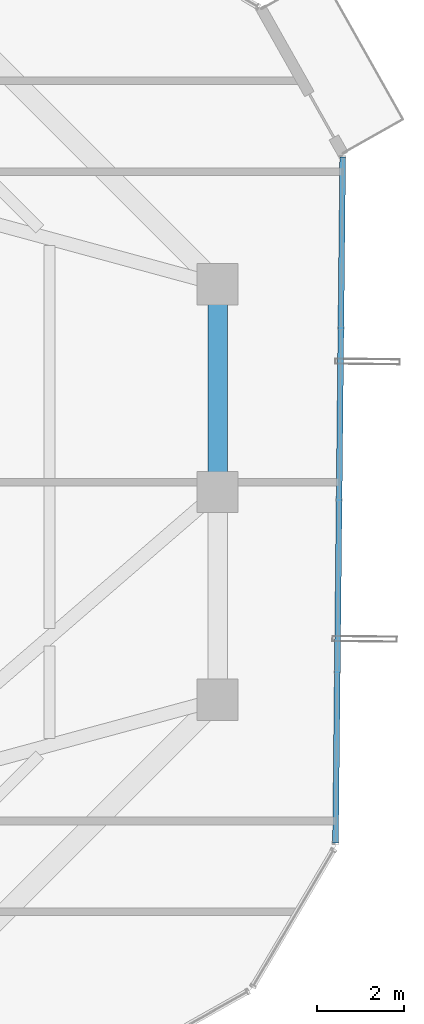
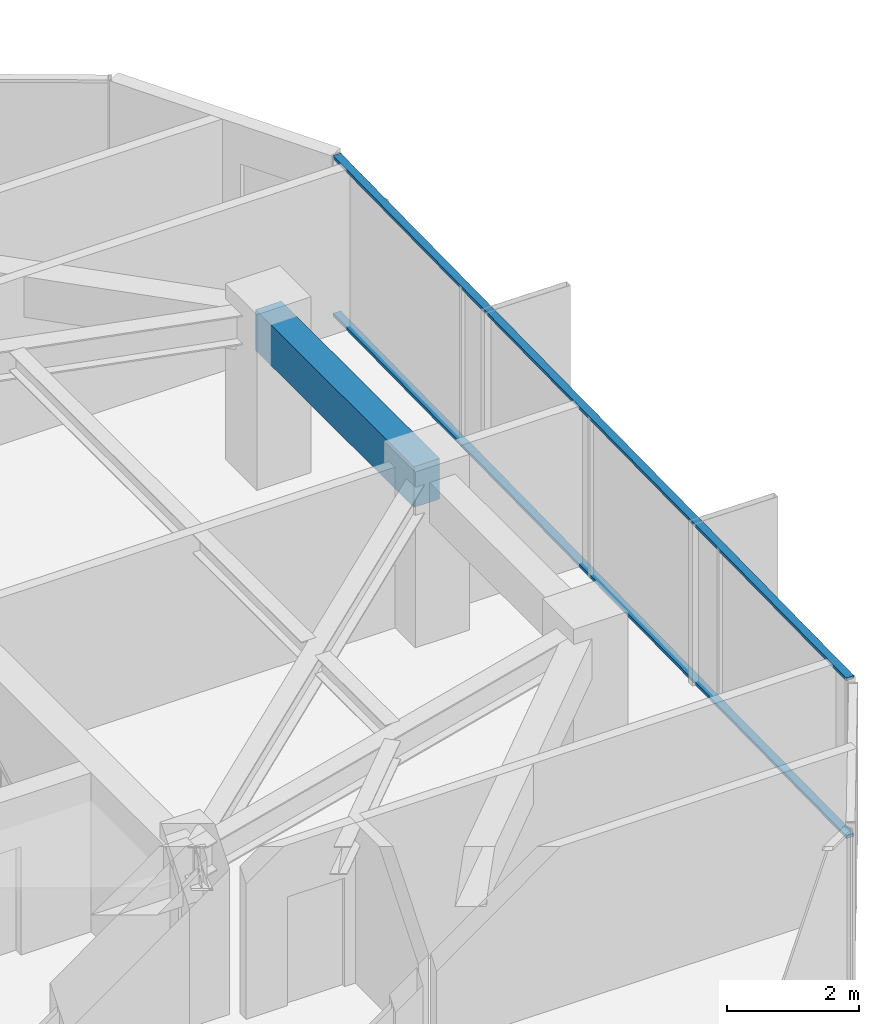
# One storey, part 17 of 30: 2 members, 1 beam, 1 element without a shape of its own.
"""IFC4 building model written with IfcOpenShell, lengths in metres."""

import ifcopenshell
import ifcopenshell.guid

model = None  # the IFC model being written
_history = None  # IfcOwnerHistory: only IFC2X3 demands one
_inside = {}  # id of a spatial element -> (the spatial element, [elements in it])
_under = {}  # id of a project, library or spatial element -> (it, [spatial elements below it])
_declared = {}  # id of a project -> (the project, [libraries it declares])
_typed = {}  # id of a type object -> (the type object, [elements of that type])
_made_of = {}  # id of a material, layer set ... -> (it, [elements and type objects made of it])


def new_model(schema):
    """Start an empty IFC model of exactly this schema.

    Asked for "IFC4X3", IfcOpenShell would pick the latest addendum, in which some entities
    have other attributes; the version numbers below select the first issue.
    IFC2X3 requires an IfcOwnerHistory on every rooted entity: one is made here for all.
    """
    global model, _history
    if schema == "IFC4X3":
        model = ifcopenshell.file(schema_version=(4, 3, 0, 0))
    else:
        model = ifcopenshell.file(schema=schema)
    _inside.clear()
    _under.clear()
    _declared.clear()
    _typed.clear()
    _made_of.clear()
    _history = None
    if model.schema == "IFC2X3":
        org = make("IfcOrganization", Name="unknown")
        user = make(
            "IfcPersonAndOrganization",
            ThePerson=make("IfcPerson", FamilyName="unknown"),
            TheOrganization=org,
        )
        app = make(
            "IfcApplication",
            ApplicationDeveloper=org,
            Version="unknown",
            ApplicationFullName="unknown",
            ApplicationIdentifier="unknown",
        )
        _history = make(
            "IfcOwnerHistory",
            OwningUser=user,
            OwningApplication=app,
            ChangeAction="ADDED",
            CreationDate=0,
        )
    return model


def make(cls, **values):
    """One entity of the class cls with the attributes given. An attribute that is None is left unset."""
    return model.create_entity(
        cls, **{name: value for name, value in values.items() if value is not None}
    )


def rooted(cls, **values):
    """An entity with a GlobalId (a new one), such as an element, a storey or a relation."""
    return make(cls, GlobalId=ifcopenshell.guid.new(), OwnerHistory=_history, **values)


def si_unit(unit_type, name, prefix=None):
    """IfcSIUnit, for example si_unit("LENGTHUNIT", "METRE", prefix="MILLI")."""
    return make("IfcSIUnit", UnitType=unit_type, Prefix=prefix, Name=name)


def assignment(units):
    """IfcUnitAssignment: the units of a project."""
    return None if units is None else make("IfcUnitAssignment", Units=units)


def point(xyz):
    """IfcCartesianPoint."""
    return None if xyz is None else make("IfcCartesianPoint", Coordinates=xyz)


def direction(xyz):
    """IfcDirection."""
    return None if xyz is None else make("IfcDirection", DirectionRatios=xyz)


def frame(location, z_axis=None, x_axis=None):
    """IfcAxis2Placement3D, a coordinate frame: its origin and axes. An axis left out is left unset."""
    return make(
        "IfcAxis2Placement3D",
        Location=point(location),
        Axis=direction(z_axis),
        RefDirection=direction(x_axis),
    )


def frame_2d(location, x_axis=None):
    """IfcAxis2Placement2D, a coordinate frame in the plane: its origin and x axis."""
    return make(
        "IfcAxis2Placement2D", Location=point(location), RefDirection=direction(x_axis)
    )


def origin():
    """The frame at (0, 0, 0) with its axes left unset."""
    return frame((0.0, 0.0, 0.0))


def origin_2d():
    """The frame at (0, 0) in the plane with its x axis left unset."""
    return frame_2d((0.0, 0.0))


def place(relative_to, where):
    """IfcLocalPlacement: puts the frame where relative to a parent placement (None: the world)."""
    return make(
        "IfcLocalPlacement", PlacementRelTo=relative_to, RelativePlacement=where
    )


def context(
    kind, dimensions, precision=None, world=None, true_north=None, identifier=None
):
    """IfcGeometricRepresentationContext, for example the 3D "Model" context."""
    return make(
        "IfcGeometricRepresentationContext",
        ContextIdentifier=identifier,
        ContextType=kind,
        CoordinateSpaceDimension=dimensions,
        Precision=precision,
        WorldCoordinateSystem=world,
        TrueNorth=true_north,
    )


def subcontext(parent, identifier, kind, view, scale=None):
    """IfcGeometricRepresentationSubContext, for example "Body" below "Model"."""
    return make(
        "IfcGeometricRepresentationSubContext",
        ContextIdentifier=identifier,
        ContextType=kind,
        ParentContext=parent,
        TargetScale=scale,
        TargetView=view,
    )


def project(units=None, contexts=None):
    """IfcProject with its units and contexts."""
    return rooted(
        "IfcProject",
        Name="project",
        RepresentationContexts=contexts,
        UnitsInContext=assignment(units),
    )


def spatial(cls, under=None, at=None, **own):
    """A site, building, storey or space (cls), placed at a placement, below another one or the project."""
    s = rooted(cls, ObjectPlacement=at, **own)
    if under is not None:
        _under.setdefault(under.id(), (under, []))[1].append(s)
    return s


def profile(cls, at=None, kind="AREA", **sizes):
    """A parametric profile (cls). Its sizes go by their IFC names, for example OverallWidth=200.0."""
    return make(cls, ProfileType=kind, Position=at, **sizes)


def rectangle(**sizes):
    """IfcRectangleProfileDef."""
    return profile("IfcRectangleProfileDef", **sizes)


def hollow_rectangle(**sizes):
    """IfcRectangleHollowProfileDef."""
    return profile("IfcRectangleHollowProfileDef", **sizes)


def extrude(swept, where, along, depth):
    """IfcExtrudedAreaSolid: the profile swept, set in the frame where, extruded along a direction by depth."""
    return make(
        "IfcExtrudedAreaSolid",
        SweptArea=swept,
        Position=where,
        ExtrudedDirection=direction(along),
        Depth=depth,
    )


def shape(context_of_items, identifier, shape_type, items):
    """IfcShapeRepresentation: the items that make up one representation, for example the "Body"."""
    return make(
        "IfcShapeRepresentation",
        ContextOfItems=context_of_items,
        RepresentationIdentifier=identifier,
        RepresentationType=shape_type,
        Items=items,
    )


def source(mapping_origin, context_of_items, identifier, shape_type, items):
    """IfcRepresentationMap: a shape defined once, which mapped items show again and again."""
    return make(
        "IfcRepresentationMap",
        MappingOrigin=mapping_origin,
        MappedRepresentation=shape(context_of_items, identifier, shape_type, items),
    )


def transform(
    local_origin,
    x_axis=None,
    y_axis=None,
    z_axis=None,
    scale=None,
    scale2=None,
    scale3=None,
    uniform=True,
):
    """IfcCartesianTransformationOperator3D, or its non-uniform kind. x_axis, y_axis, z_axis: its Axis1, 2, 3."""
    if uniform:
        return make(
            "IfcCartesianTransformationOperator3D",
            Axis1=direction(x_axis),
            Axis2=direction(y_axis),
            LocalOrigin=point(local_origin),
            Scale=scale,
            Axis3=direction(z_axis),
        )
    return make(
        "IfcCartesianTransformationOperator3DnonUniform",
        Axis1=direction(x_axis),
        Axis2=direction(y_axis),
        LocalOrigin=point(local_origin),
        Scale=scale,
        Axis3=direction(z_axis),
        Scale2=scale2,
        Scale3=scale3,
    )


def mapped(mapping_source, mapping_target):
    """IfcMappedItem: shows the shape of a source again, moved by a transform."""
    return make(
        "IfcMappedItem", MappingSource=mapping_source, MappingTarget=mapping_target
    )


def material(Name=None, Category=None):
    """IfcMaterial."""
    return make("IfcMaterial", Name=Name, Category=Category)


def layer(
    of_material, thickness, ventilated=None, Name=None, Category=None, Priority=None
):
    """IfcMaterialLayer: one layer of a wall or slab, of a material (None: an air gap)."""
    return make(
        "IfcMaterialLayer",
        Material=of_material,
        LayerThickness=thickness,
        IsVentilated=ventilated,
        Name=Name,
        Category=Category,
        Priority=Priority,
    )


def layer_set(layers, Name=None):
    """IfcMaterialLayerSet."""
    return make("IfcMaterialLayerSet", MaterialLayers=layers, LayerSetName=Name)


def material_profile(
    of_material, cross_section, Name=None, Category=None, Priority=None
):
    """IfcMaterialProfile: a cross section and its material."""
    return make(
        "IfcMaterialProfile",
        Name=Name,
        Material=of_material,
        Profile=cross_section,
        Priority=Priority,
        Category=Category,
    )


def profile_set(profiles, Name=None, composite=None):
    """IfcMaterialProfileSet."""
    return make(
        "IfcMaterialProfileSet",
        Name=Name,
        MaterialProfiles=profiles,
        CompositeProfile=composite,
    )


def made_of(thing, what):
    """Note that an element or type object is made of a material, layer set ...; save() writes the relation."""
    if what is not None:
        _made_of.setdefault(what.id(), (what, []))[1].append(thing)
    return thing


def type_object(cls, material=None, **own):
    """A type object (cls), such as IfcWallType, which elements share."""
    return made_of(rooted(cls, **own), material)


def element(
    cls,
    number,
    at=None,
    inside=None,
    cuts=None,
    type_object=None,
    material=None,
    context=None,
    identifier="Body",
    shape_type=None,
    held_by="IfcProductDefinitionShape",
    body=None,
    shapes=None,
    **own,
):
    """One element of the class cls, such as IfcWall. Its Tag is "e" and its number.

    at: its placement. inside: the storey or other place that contains it. cuts: it is an
    opening in that element (IfcRelVoidsElement). A single representation is given by context,
    identifier, shape_type and body (its items); several are given by shapes. held_by: the class
    of the entity that holds the representations. save() writes the other relations.
    """
    e = rooted(cls, Tag="e%d" % number, ObjectPlacement=at, **own)
    if body is not None:
        shapes = [shape(context, identifier, shape_type, body)]
    if shapes is not None:
        e.Representation = make(held_by, Representations=shapes)
    if inside is not None:
        _inside.setdefault(inside.id(), (inside, []))[1].append(e)
    if cuts is not None:
        rooted(
            "IfcRelVoidsElement", RelatingBuildingElement=cuts, RelatedOpeningElement=e
        )
    if type_object is not None:
        _typed.setdefault(type_object.id(), (type_object, []))[1].append(e)
    return made_of(e, material)


def aggregate(whole, parts):
    """IfcRelAggregates: a whole, such as a stair, and the parts it consists of."""
    return rooted("IfcRelAggregates", RelatingObject=whole, RelatedObjects=parts)


def save(model, path):
    """Write the relations noted so far, then the file.

    IfcRelAggregates (storeys below a building ...), IfcRelContainedInSpatialStructure (elements
    in a storey), IfcRelDefinesByType, IfcRelAssociatesMaterial and IfcRelDeclares: one each for
    every whole, place, type object, material and project.
    """
    for whole, parts in _under.values():
        aggregate(whole, parts)
    for where, things in _inside.values():
        rooted(
            "IfcRelContainedInSpatialStructure",
            RelatedElements=things,
            RelatingStructure=where,
        )
    for kind, things in _typed.values():
        rooted("IfcRelDefinesByType", RelatedObjects=things, RelatingType=kind)
    for what, things in _made_of.values():
        rooted("IfcRelAssociatesMaterial", RelatedObjects=things, RelatingMaterial=what)
    for by, libraries in _declared.values():
        rooted("IfcRelDeclares", RelatingContext=by, RelatedDefinitions=libraries)
    model.write(path)


model = new_model("IFC4")

# Units and contexts
model_context = context("Model", 3, precision=1e-05, world=origin(), true_north=direction((0.0, 1.0)))
body_context = subcontext(model_context, "Body", "Model", "MODEL_VIEW")
ifc_project = project(units=[si_unit("LENGTHUNIT", "METRE"), si_unit("AREAUNIT", "SQUARE_METRE"), si_unit("VOLUMEUNIT", "CUBIC_METRE"), si_unit("PLANEANGLEUNIT", "RADIAN"), si_unit("MASSUNIT", "GRAM", prefix="KILO")], contexts=[model_context])

# Site, building, storey
site_placement = place(None, origin())
site = spatial("IfcSite", under=ifc_project, at=site_placement, CompositionType="ELEMENT")
building_placement = place(site_placement, origin())
building = spatial("IfcBuilding", under=site, at=building_placement, Name="Veraguas Prism Commons", CompositionType="ELEMENT")
storey_placement = place(building_placement, frame((0.0, 0.0, 208.10009765625)))
storey = spatial("IfcBuildingStorey", under=building, at=storey_placement, Name="L59", CompositionType="ELEMENT", Elevation=208.10009765625)

# Beam
ifc_material_1 = material(Name="Concrete C50/60", Category="concrete")
ifc_material_profile_1 = material_profile(ifc_material_1, rectangle(XDim=0.449951171875, YDim=0.75, at=origin_2d()), Name="RC450X750")
ifc_profile_set_1 = profile_set([ifc_material_profile_1], Name="Concrete C50/60")
beam_type = type_object("IfcBeamType", Name="Perimeter Spandrel Upper RC 450x750", PredefinedType="SPANDREL", material=ifc_profile_set_1)
beam_placement = place(storey_placement, frame((38.89990234375, 24.0, 2.594970703125), z_axis=(0.0, 1.0, 0.0), x_axis=(-1.0, 0.0, 0.0)))
element("IfcBeam", 1, at=beam_placement, inside=storey, type_object=beam_type, Name="Perimeter Spandrel Beam L59-SP02", PredefinedType="SPANDREL", context=body_context, shape_type="SweptSolid", body=[
    extrude(rectangle(XDim=0.449951171875, YDim=0.75, at=origin_2d()), origin(), (0.0, 0.0, 1.0), 4.800048828125),
])

# Curtain wall, members
ifc_material_2 = material(Name="Anodised aluminium EN AW-6063 T6", Category="aluminium")
ifc_layer = layer(ifc_material_2, 0.14990234375, Name="Unitised Flush Curtain Wall Zone 3", Category="aluminium")
ifc_layer_set = layer_set([ifc_layer], Name="Anodised aluminium EN AW-6063 T6")
curtain_wall_type = type_object("IfcCurtainWallType", Name="Unitised Flush Curtain Wall Zone 3", PredefinedType="NOTDEFINED", material=ifc_layer_set)
curtain_wall_placement = place(storey_placement, origin())
curtain_wall = element("IfcCurtainWall", 2, at=curtain_wall_placement, inside=storey, type_object=curtain_wall_type, Name="Tower Facade Curtain Wall L59-F6", PredefinedType="NOTDEFINED")
ifc_material_profile_2 = material_profile(ifc_material_2, hollow_rectangle(XDim=0.054931640625, YDim=0.135009765625, WallThickness=0.0029296875, at=origin_2d()), Name="AL55X135X3")
ifc_profile_set_2 = profile_set([ifc_material_profile_2], Name="Anodised aluminium EN AW-6063 T6")
member_type = type_object("IfcMemberType", Name="Curtain Wall Transom Standard AL 55x135x3", PredefinedType="USERDEFINED", material=ifc_profile_set_2)
shared_shape = source(origin(), body_context, "Body", "SweptSolid", [
    extrude(hollow_rectangle(XDim=0.054931640625, YDim=0.135009765625, WallThickness=0.0029296875, at=origin_2d()), origin(), (0.0, 0.0, 1.0), 15.842529296875),
])
member_1_placement = place(storey_placement, frame((41.626220703125, 15.893798828125, 0.02734375), z_axis=(0.010479181692, 0.999945091868, 0.0), x_axis=(0.0, 0.0, 1.0)))
member_1 = element("IfcMember", 3, at=member_1_placement, type_object=member_type, Name="CW-Z3 Transom 1", ObjectType="TRANSOM", PredefinedType="USERDEFINED", context=body_context, shape_type="MappedRepresentation", body=[
    mapped(shared_shape, transform((0.0, 0.0, 0.0), scale=1.0)),
])
member_2_placement = place(storey_placement, frame((41.626220703125, 15.893798828125, 2.9423828125), z_axis=(0.010479181692, 0.999945091868, 0.0), x_axis=(0.0, 0.0, 1.0)))
member_2 = element("IfcMember", 4, at=member_2_placement, type_object=member_type, Name="CW-Z3 Transom 2", ObjectType="TRANSOM", PredefinedType="USERDEFINED", context=body_context, shape_type="MappedRepresentation", body=[
    mapped(shared_shape, transform((0.0, 0.0, 0.0), scale=1.0)),
])
aggregate(curtain_wall, [member_1, member_2])

save(model, "model.ifc")
